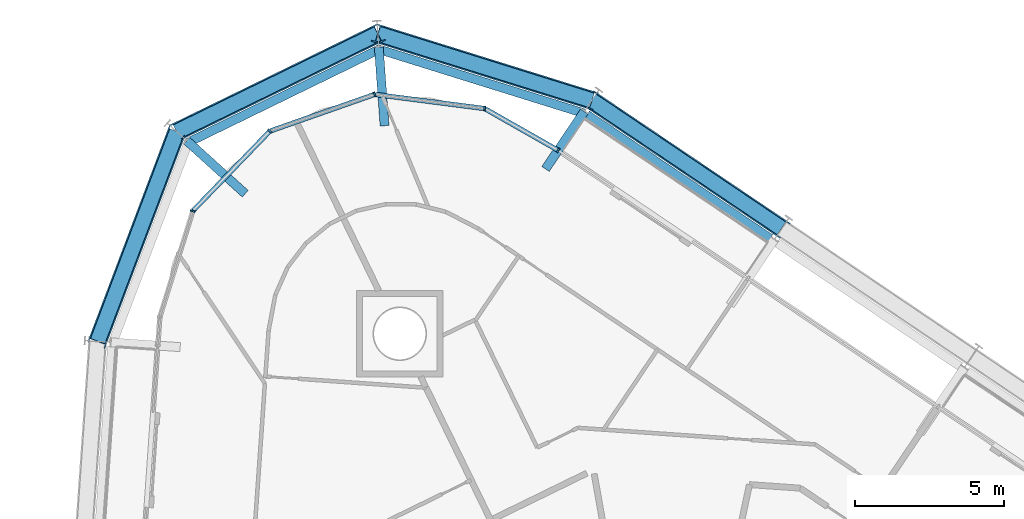
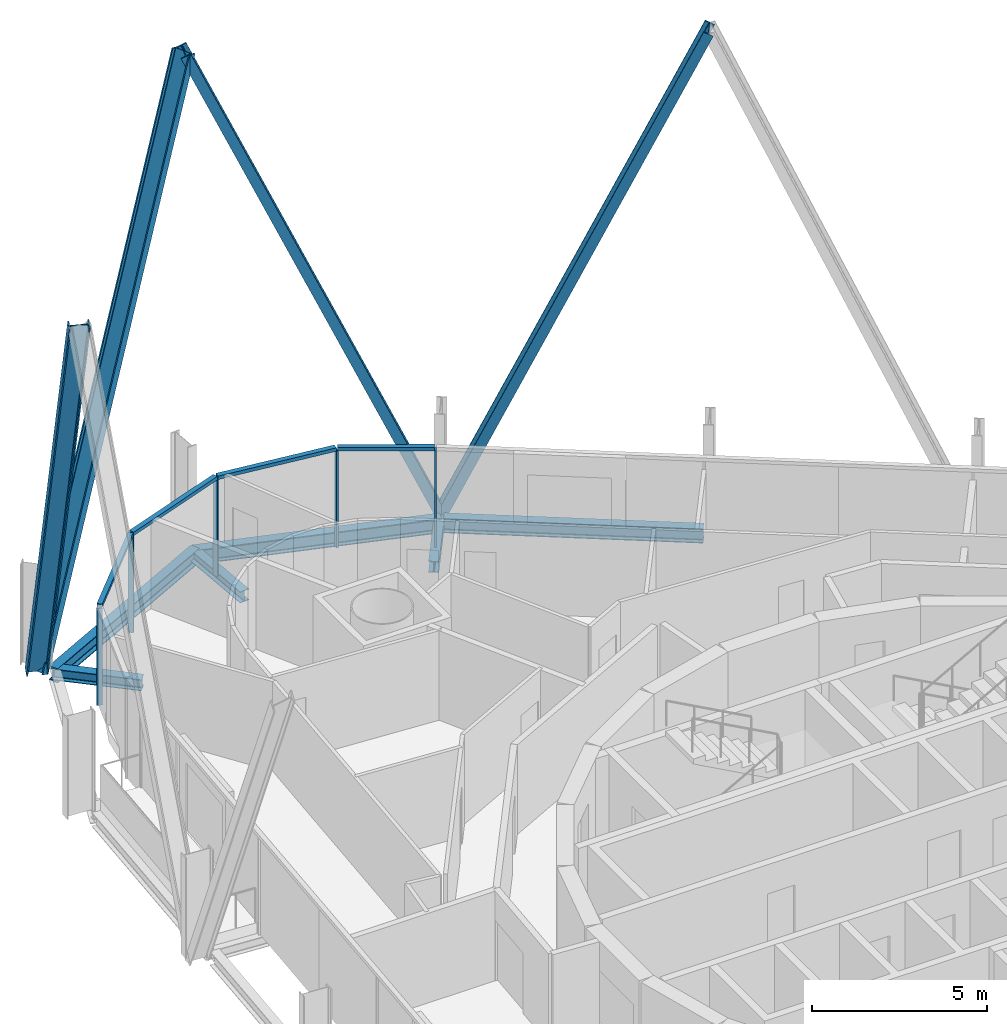
# One storey, part 8 of 18: 13 members, 6 beams, 1 element without a shape of its own.
"""IFC4 building model written with IfcOpenShell, lengths in metres."""

from ifc_helpers import new_model, si_unit, direction, frame, origin, origin_2d, place, context, subcontext, project, spatial, rectangle, i_section, extrude, material, layer, layer_set, material_profile, profile_set, type_object, element, aggregate, save


model = new_model("IFC4")

# Units and contexts
model_context = context("Model", 3, precision=1e-05, world=origin(), true_north=direction((0.0, 1.0)))
body_context = subcontext(model_context, "Body", "Model", "MODEL_VIEW")
ifc_project = project(units=[si_unit("LENGTHUNIT", "METRE"), si_unit("AREAUNIT", "SQUARE_METRE"), si_unit("VOLUMEUNIT", "CUBIC_METRE"), si_unit("PLANEANGLEUNIT", "RADIAN"), si_unit("MASSUNIT", "GRAM", prefix="KILO")], contexts=[model_context])

# Site, building, storey
site_placement = place(None, origin())
site = spatial("IfcSite", under=ifc_project, at=site_placement, CompositionType="ELEMENT")
building_placement = place(site_placement, origin())
building = spatial("IfcBuilding", under=site, at=building_placement, Name="Spindle Arch Residences", CompositionType="ELEMENT")
storey_placement = place(building_placement, frame((0.0, 0.0, 202.39990234375)))
storey = spatial("IfcBuildingStorey", under=building, at=storey_placement, Name="L51", CompositionType="ELEMENT", Elevation=202.39990234375)

# Curtain wall, members
ifc_material_1 = material(Name="Aluminium bronze unitised frame with tinted glass", Category="aluminium")
ifc_layer = layer(ifc_material_1, 0.159912109375)
ifc_layer_set = layer_set([ifc_layer], Name="CW-D corner wall on the fillet arcs")
curtain_wall_type = type_object("IfcCurtainWallType", Name="CW-D corner wall on the fillet arcs", PredefinedType="NOTDEFINED", material=ifc_layer_set)
curtain_wall_placement = place(storey_placement, origin())
curtain_wall = element("IfcCurtainWall", 1, at=curtain_wall_placement, inside=storey, type_object=curtain_wall_type, Name="CW-D L51 run 3", PredefinedType="NOTDEFINED")
ifc_material_2 = material(Name="Aluminium bronze anodised mullion", Category="aluminium")
ifc_material_profile_1 = material_profile(ifc_material_2, rectangle(XDim=0.159912109375, YDim=0.06005859375, at=origin_2d()), Name="MU 60x160")
ifc_profile_set_1 = profile_set([ifc_material_profile_1], Name="Aluminium bronze anodised mullion")
member_type_1 = type_object("IfcMemberType", Name="Bronze mullion 60x160", PredefinedType="MULLION", material=ifc_profile_set_1)
member_1_placement = place(storey_placement, frame((-3.608642578125, 24.46044921875, -0.3798828125), z_axis=(0.0, 0.0, 1.0), x_axis=(-0.493864780547, -0.86953871595, 0.0)))
member_1 = element("IfcMember", 2, at=member_1_placement, type_object=member_type_1, Name="CW-D mullion 00", PredefinedType="MULLION", context=body_context, shape_type="SweptSolid", body=[
    extrude(rectangle(XDim=0.159912109375, YDim=0.06005859375, at=origin_2d()), origin(), (0.0, 0.0, 1.0), 3.3798828125),
])
member_2_placement = place(storey_placement, frame((-6.07421875, 25.86083984375, -0.3798828125), z_axis=(0.0, 0.0, 1.0), x_axis=(-0.127641651888, -0.991820351023, 0.0)))
member_2 = element("IfcMember", 3, at=member_2_placement, type_object=member_type_1, Name="CW-D mullion 01", PredefinedType="MULLION", context=body_context, shape_type="SweptSolid", body=[
    extrude(rectangle(XDim=0.159912109375, YDim=0.06005859375, at=origin_2d()), origin(), (0.0, 0.0, 1.0), 3.3798828125),
])
member_3_placement = place(storey_placement, frame((-9.7705078125, 26.336669921875, -0.3798828125), z_axis=(0.0, 0.0, 1.0), x_axis=(0.331063412445, -0.943608508302, 0.0)))
member_3 = element("IfcMember", 4, at=member_3_placement, type_object=member_type_1, Name="CW-D mullion 02", PredefinedType="MULLION", context=body_context, shape_type="SweptSolid", body=[
    extrude(rectangle(XDim=0.159912109375, YDim=0.06005859375, at=origin_2d()), origin(), (0.0, 0.0, 1.0), 3.3798828125),
])
member_4_placement = place(storey_placement, frame((-13.287109375, 25.102783203125, -0.3798828125), z_axis=(0.0, 0.0, 1.0), x_axis=(0.719339801939, -0.694658368802, 0.0)))
member_4 = element("IfcMember", 5, at=member_4_placement, type_object=member_type_1, Name="CW-D mullion 03", PredefinedType="MULLION", context=body_context, shape_type="SweptSolid", body=[
    extrude(rectangle(XDim=0.159912109375, YDim=0.06005859375, at=origin_2d()), origin(), (0.0, 0.0, 1.0), 3.3798828125),
])
member_5_placement = place(storey_placement, frame((-15.8759765625, 22.421875, -0.3798828125), z_axis=(0.0, 0.0, 1.0), x_axis=(0.954587634064, -0.297930275218, 0.0)))
member_5 = element("IfcMember", 6, at=member_5_placement, type_object=member_type_1, Name="CW-D mullion 04", PredefinedType="MULLION", context=body_context, shape_type="SweptSolid", body=[
    extrude(rectangle(XDim=0.159912109375, YDim=0.06005859375, at=origin_2d()), origin(), (0.0, 0.0, 1.0), 3.3798828125),
])
ifc_material_3 = material(Name="Aluminium bronze anodised transom", Category="aluminium")
ifc_material_profile_2 = material_profile(ifc_material_3, rectangle(XDim=0.159912109375, YDim=0.1201171875, at=origin_2d()), Name="TR 120x160")
ifc_profile_set_2 = profile_set([ifc_material_profile_2], Name="Aluminium bronze anodised transom")
member_type_2 = type_object("IfcMemberType", Name="Bronze transom 120x160", PredefinedType="USERDEFINED", material=ifc_profile_set_2)
member_6_placement = place(storey_placement, frame((-3.634521484375, 24.475341796875, 3.06005859375), z_axis=(-0.869571592644, 0.493806890664, 0.0), x_axis=(-0.493806890664, -0.869571592644, 0.0)))
member_6 = element("IfcMember", 7, at=member_6_placement, type_object=member_type_2, Name="CW-D transom 00", ObjectType="TRANSOM", PredefinedType="USERDEFINED", context=body_context, shape_type="SweptSolid", body=[
    extrude(rectangle(XDim=0.159912109375, YDim=0.1201171875, at=origin_2d()), origin(), (0.0, 0.0, 1.0), 2.775634765625),
])
member_7_placement = place(storey_placement, frame((-6.10400390625, 25.86474609375, 3.06005859375), z_axis=(-0.991820609669, 0.127639642101, 0.0), x_axis=(-0.127639642101, -0.991820609669, 0.0)))
member_7 = element("IfcMember", 8, at=member_7_placement, type_object=member_type_2, Name="CW-D transom 01", ObjectType="TRANSOM", PredefinedType="USERDEFINED", context=body_context, shape_type="SweptSolid", body=[
    extrude(rectangle(XDim=0.159912109375, YDim=0.1201171875, at=origin_2d()), origin(), (0.0, 0.0, 1.0), 3.666748046875),
])
member_8_placement = place(storey_placement, frame((-9.798828125, 26.32666015625, 3.06005859375), z_axis=(-0.943613119154, -0.331050270141, 0.0), x_axis=(0.331050270141, -0.943613119154, 0.0)))
member_8 = element("IfcMember", 9, at=member_8_placement, type_object=member_type_2, Name="CW-D transom 02", ObjectType="TRANSOM", PredefinedType="USERDEFINED", context=body_context, shape_type="SweptSolid", body=[
    extrude(rectangle(XDim=0.159912109375, YDim=0.1201171875, at=origin_2d()), origin(), (0.0, 0.0, 1.0), 3.666748046875),
])
member_9_placement = place(storey_placement, frame((-13.307861328125, 25.081298828125, 3.06005859375), z_axis=(-0.694647982093, -0.719349832122, 0.0), x_axis=(0.719349832122, -0.694647982093, 0.0)))
member_9 = element("IfcMember", 10, at=member_9_placement, type_object=member_type_2, Name="CW-D transom 03", ObjectType="TRANSOM", PredefinedType="USERDEFINED", context=body_context, shape_type="SweptSolid", body=[
    extrude(rectangle(XDim=0.159912109375, YDim=0.1201171875, at=origin_2d()), origin(), (0.0, 0.0, 1.0), 3.666748046875),
])
aggregate(curtain_wall, [member_1, member_6, member_2, member_7, member_3, member_8, member_4, member_9, member_5])

# Members
ifc_material_4 = material(Name="Steel S460ML, intumescent coating R 240", Category="steel")
ifc_material_profile_3 = material_profile(ifc_material_4, i_section(OverallWidth=0.304931640625, OverallDepth=0.6201171875, WebThickness=0.02099609375, FlangeThickness=0.0400390625, FilletRadius=0.027099609375, at=origin_2d()), Name="HEM 600")
ifc_profile_set_3 = profile_set([ifc_material_profile_3], Name="Steel S460ML, intumescent coating R 240")
member_type_3 = type_object("IfcMemberType", Name="Diagrid diagonal HEM 600", PredefinedType="BRACE", material=ifc_profile_set_3)
member_10_placement = place(storey_placement, frame((-2.47900390625, 26.135009765625, -0.6298828125), z_axis=(0.337322731609, -0.227524350318, 0.91348018301), x_axis=(-0.757312208919, 0.510807461746, 0.406883220651)))
element("IfcMember", 11, at=member_10_placement, inside=storey, type_object=member_type_3, Name="Diagrid diagonal 5.2.9", PredefinedType="BRACE", context=body_context, shape_type="SweptSolid", body=[
    extrude(i_section(OverallWidth=0.304931640625, OverallDepth=0.6201171875, WebThickness=0.02099609375, FlangeThickness=0.0400390625, FilletRadius=0.027099609375, at=origin_2d()), origin(), (0.0, 0.0, 1.0), 18.908935546875),
])
member_11_placement = place(storey_placement, frame((-2.47900390625, 26.135009765625, -0.6298828125), z_axis=(-0.381236320008, 0.118841546254, 0.916807261746), x_axis=(0.875266649407, -0.272843998699, 0.399329994878)))
element("IfcMember", 12, at=member_11_placement, inside=storey, type_object=member_type_3, Name="Diagrid diagonal 5.2.10", PredefinedType="BRACE", context=body_context, shape_type="SweptSolid", body=[
    extrude(i_section(OverallWidth=0.304931640625, OverallDepth=0.6201171875, WebThickness=0.02099609375, FlangeThickness=0.0400390625, FilletRadius=0.027099609375, at=origin_2d()), origin(), (0.0, 0.0, 1.0), 18.84033203125),
])
member_12_placement = place(storey_placement, frame((-16.41064453125, 25.082275390625, -0.6298828125), z_axis=(0.358332369014, 0.174771933563, 0.917089245687), x_axis=(-0.824272940377, -0.402028362578, 0.398681972812)))
element("IfcMember", 13, at=member_12_placement, inside=storey, type_object=member_type_3, Name="Diagrid diagonal 5.2.11", PredefinedType="BRACE", context=body_context, shape_type="SweptSolid", body=[
    extrude(i_section(OverallWidth=0.304931640625, OverallDepth=0.6201171875, WebThickness=0.02099609375, FlangeThickness=0.0400390625, FilletRadius=0.027099609375, at=origin_2d()), origin(), (0.0, 0.0, 1.0), 18.83447265625),
])
member_13_placement = place(storey_placement, frame((-16.41064453125, 25.082275390625, -0.6298828125), z_axis=(-0.141077555589, -0.373589228219, 0.916803256903), x_axis=(0.323885974371, 0.857686473878, 0.399339189327)))
element("IfcMember", 14, at=member_13_placement, inside=storey, type_object=member_type_3, Name="Diagrid diagonal 5.2.12", PredefinedType="BRACE", context=body_context, shape_type="SweptSolid", body=[
    extrude(i_section(OverallWidth=0.304931640625, OverallDepth=0.6201171875, WebThickness=0.02099609375, FlangeThickness=0.0400390625, FilletRadius=0.027099609375, at=origin_2d()), origin(), (0.0, 0.0, 1.0), 18.84033203125),
])

# Beams
ifc_material_5 = material(Name="Steel S460ML, intumescent coating R 120", Category="steel")
ifc_material_profile_4 = material_profile(ifc_material_5, i_section(OverallWidth=0.300048828125, OverallDepth=0.5, WebThickness=0.014404296875, FlangeThickness=0.028076171875, FilletRadius=0.027099609375, at=origin_2d()), Name="HEB 500")
ifc_profile_set_4 = profile_set([ifc_material_profile_4], Name="Steel S460ML, intumescent coating R 120")
beam_type_1 = type_object("IfcBeamType", Name="Exoskeleton edge beam HEB 500", PredefinedType="BEAM", material=ifc_profile_set_4)
beam_1_placement = place(storey_placement, frame((3.517578125, 21.499267578125, -0.6298828125), z_axis=(-0.829031763913, 0.55920151504, 0.0), x_axis=(-0.55920151504, -0.829031763913, 0.0)))
element("IfcBeam", 15, at=beam_1_placement, inside=storey, type_object=beam_type_1, Name="Exoskeleton edge beam 9", PredefinedType="BEAM", context=body_context, shape_type="SweptSolid", body=[
    extrude(i_section(OverallWidth=0.300048828125, OverallDepth=0.5, WebThickness=0.014404296875, FlangeThickness=0.028076171875, FilletRadius=0.027099609375, at=origin_2d()), origin(), (0.0, 0.0, 1.0), 7.433837890625),
])
beam_2_placement = place(storey_placement, frame((-2.729248046875, 25.7001953125, -0.6298828125), z_axis=(-0.954689668885, 0.297603152072, 0.0), x_axis=(-0.297603152072, -0.954689668885, 0.0)))
element("IfcBeam", 16, at=beam_2_placement, inside=storey, type_object=beam_type_1, Name="Exoskeleton edge beam 10", PredefinedType="BEAM", context=body_context, shape_type="SweptSolid", body=[
    extrude(i_section(OverallWidth=0.300048828125, OverallDepth=0.5, WebThickness=0.014404296875, FlangeThickness=0.028076171875, FilletRadius=0.027099609375, at=origin_2d()), origin(), (0.0, 0.0, 1.0), 7.263427734375),
])
beam_3_placement = place(storey_placement, frame((-9.563720703125, 27.876708984375, -0.6298828125), z_axis=(-0.89878236333, -0.438395099616, 0.0), x_axis=(0.438395099616, -0.89878236333, 0.0)))
element("IfcBeam", 17, at=beam_3_placement, inside=storey, type_object=beam_type_1, Name="Exoskeleton edge beam 11", PredefinedType="BEAM", context=body_context, shape_type="SweptSolid", body=[
    extrude(i_section(OverallWidth=0.300048828125, OverallDepth=0.5, WebThickness=0.014404296875, FlangeThickness=0.028076171875, FilletRadius=0.027099609375, at=origin_2d()), origin(), (0.0, 0.0, 1.0), 7.2490234375),
])
ifc_material_6 = material(Name="Steel S460ML, intumescent coating R 120", Category="steel")
ifc_material_profile_5 = material_profile(ifc_material_6, i_section(OverallWidth=0.300048828125, OverallDepth=0.389892578125, WebThickness=0.010986328125, FlangeThickness=0.01904296875, FilletRadius=0.027099609375, at=origin_2d()), Name="HEA 400")
ifc_profile_set_5 = profile_set([ifc_material_profile_5], Name="Steel S460ML, intumescent coating R 120")
beam_type_2 = type_object("IfcBeamType", Name="Floor outrigger HEA 400", PredefinedType="BEAM", material=ifc_profile_set_5)
beam_4_placement = place(storey_placement, frame((-2.730712890625, 25.761962890625, -0.574951171875), z_axis=(-0.559170171593, -0.829052904947, 0.0), x_axis=(0.829052904947, -0.559170171593, 0.0)))
element("IfcBeam", 18, at=beam_4_placement, inside=storey, type_object=beam_type_2, Name="Floor outrigger 10", PredefinedType="BEAM", context=body_context, shape_type="SweptSolid", body=[
    extrude(i_section(OverallWidth=0.300048828125, OverallDepth=0.389892578125, WebThickness=0.010986328125, FlangeThickness=0.01904296875, FilletRadius=0.027099609375, at=origin_2d()), origin(), (0.0, 0.0, 1.0), 2.32763671875),
])
for number, where, z_axis, x_axis, name in (
    (19, (-9.62890625, 27.92529296875, -0.574951171875), (0.072870594007, -0.997341404199, 0.0), (0.997341404199, 0.072870594007, 0.0), "Floor outrigger 11"),
    (20, (-16.0771484375, 24.780029296875, -0.574951171875), (0.741072898018, -0.671424574932, 0.0), (0.671424574932, 0.741072898018, 0.0), "Floor outrigger 12"),
):
    element("IfcBeam", number, at=place(storey_placement, frame(where, z_axis=z_axis, x_axis=x_axis)), inside=storey, type_object=beam_type_2, Name=name, PredefinedType="BEAM", context=body_context, shape_type="SweptSolid", body=[
        extrude(i_section(OverallWidth=0.300048828125, OverallDepth=0.389892578125, WebThickness=0.010986328125, FlangeThickness=0.01904296875, FilletRadius=0.027099609375, at=origin_2d()), origin(), (0.0, 0.0, 1.0), 2.650146484375),
    ])

save(model, "model.ifc")
